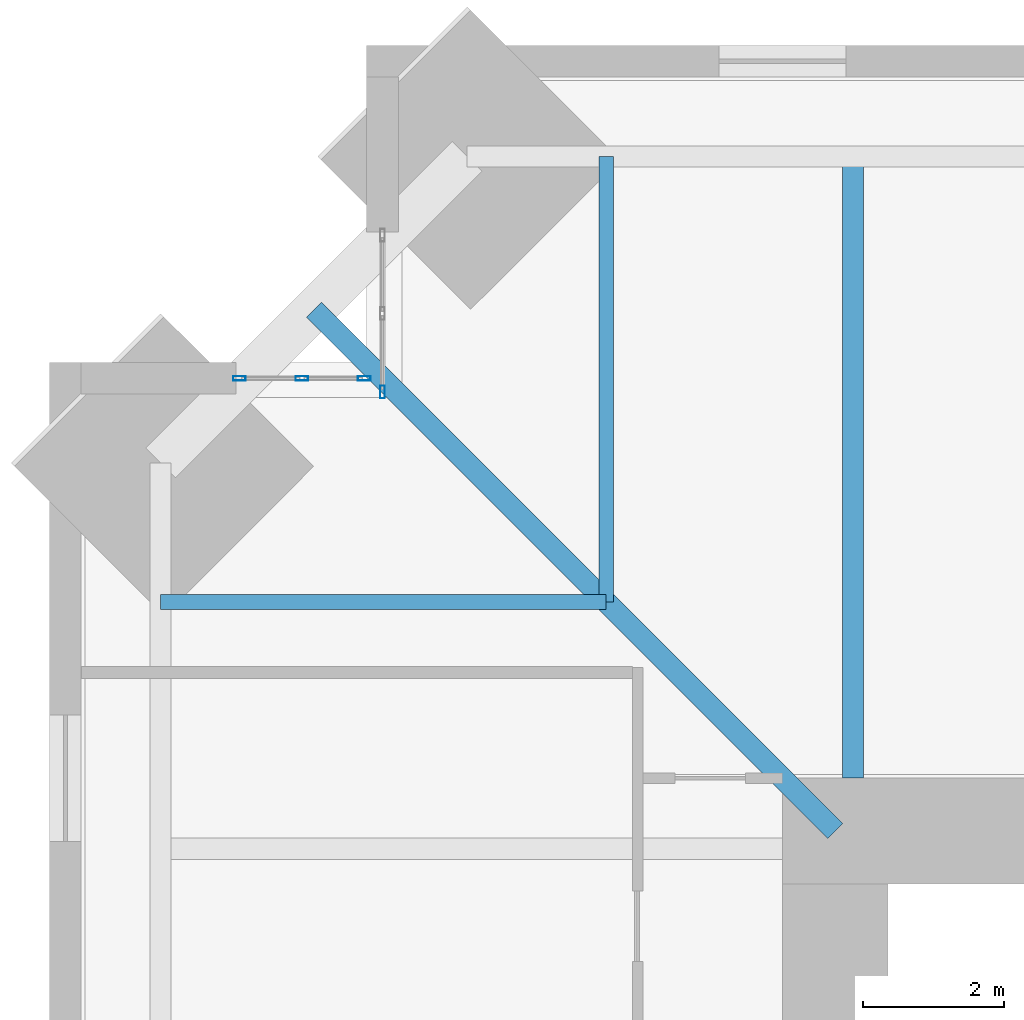
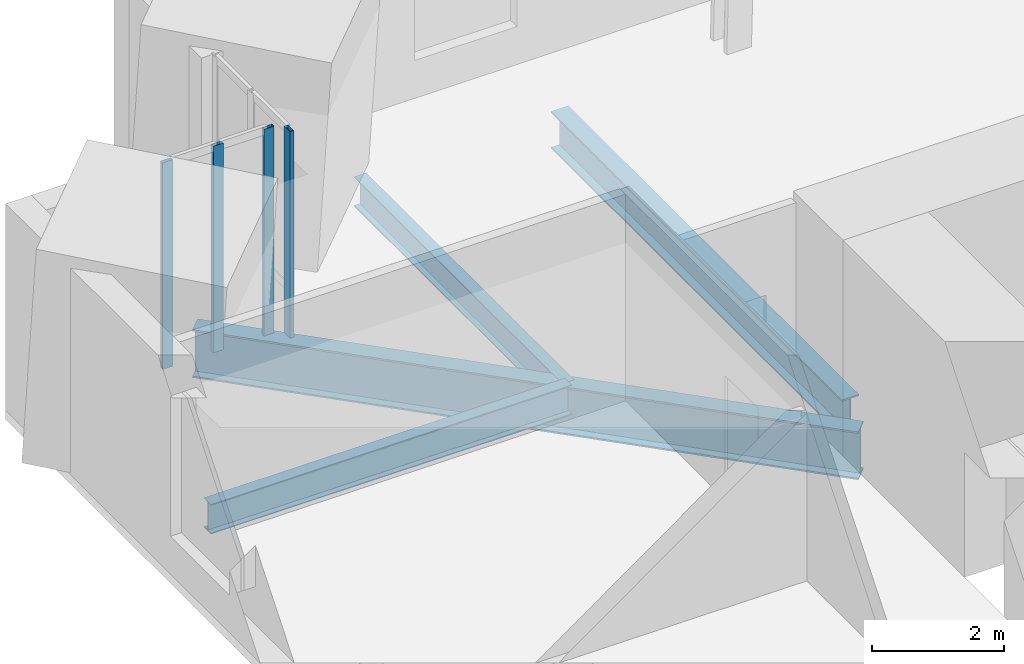
# One storey, part 6 of 18: 4 beams, 4 members, 2 elements without a shape of their own.
"""IFC4 building model written with IfcOpenShell, lengths in metres."""

from ifc_helpers import new_model, si_unit, direction, frame, origin, origin_2d, place, context, subcontext, project, spatial, hollow_rectangle, i_section, extrude, material, material_profile, profile_set, type_object, element, aggregate, save


model = new_model("IFC4")

# Units and contexts
model_context = context("Model", 3, precision=1e-05, world=origin(), true_north=direction((0.0, 1.0)))
body_context = subcontext(model_context, "Body", "Model", "MODEL_VIEW")
ifc_project = project(units=[si_unit("LENGTHUNIT", "METRE"), si_unit("AREAUNIT", "SQUARE_METRE"), si_unit("VOLUMEUNIT", "CUBIC_METRE"), si_unit("PLANEANGLEUNIT", "RADIAN"), si_unit("MASSUNIT", "GRAM", prefix="KILO")], contexts=[model_context])

# Site, building, storey
site_placement = place(None, origin())
site = spatial("IfcSite", under=ifc_project, at=site_placement, CompositionType="ELEMENT")
building_placement = place(site_placement, origin())
building = spatial("IfcBuilding", under=site, at=building_placement, Name="Peilmerk Tower", CompositionType="ELEMENT")
storey_placement = place(building_placement, frame((0.0, 0.0, 249.800048828125)))
storey = spatial("IfcBuildingStorey", under=building, at=storey_placement, Name="L55", CompositionType="ELEMENT", Elevation=249.800048828125)

# Beams
ifc_material_1 = material(Name="Steel S355", Category="steel")
ifc_material_profile_1 = material_profile(ifc_material_1, i_section(OverallWidth=0.2099609375, OverallDepth=0.550048828125, WebThickness=0.010986328125, FlangeThickness=0.01708984375, at=origin_2d()), Name="IPE 550")
ifc_profile_set_1 = profile_set([ifc_material_profile_1], Name="Steel S355")
beam_type_1 = type_object("IfcBeamType", Name="B12 IPE 550 floor beam", PredefinedType="BEAM", material=ifc_profile_set_1)
for number, where, z_axis, x_axis, name in (
    (1, (-14.5, 14.5, -0.445068359375), (0.0, 1.0, 0.0), (-1.0, 0.0, 0.0), "Floor beam L55"),
    (2, (-14.5, 14.5, -0.445068359375), (-1.0, 0.0, 0.0), (0.0, -1.0, 0.0), "Floor beam L55"),
):
    element("IfcBeam", number, at=place(storey_placement, frame(where, z_axis=z_axis, x_axis=x_axis)), inside=storey, type_object=beam_type_1, Name=name, PredefinedType="BEAM", context=body_context, shape_type="SweptSolid", body=[
        extrude(i_section(OverallWidth=0.2099609375, OverallDepth=0.550048828125, WebThickness=0.010986328125, FlangeThickness=0.01708984375, at=origin_2d()), origin(), (0.0, 0.0, 1.0), 6.32421875),
    ])
ifc_material_profile_2 = material_profile(ifc_material_1, i_section(OverallWidth=0.300048828125, OverallDepth=0.68994140625, WebThickness=0.014404296875, FlangeThickness=0.027099609375, at=origin_2d()), Name="HEA 700")
ifc_profile_set_2 = profile_set([ifc_material_profile_2], Name="Steel S355")
beam_type_2 = type_object("IfcBeamType", Name="B16 HEA 700 floor beam", PredefinedType="BEAM", material=ifc_profile_set_2)
beam_1_placement = place(storey_placement, frame((-11.0, 12.0, -0.51513671875), z_axis=(0.0, 1.0, 0.0), x_axis=(-1.0, 0.0, 0.0)))
element("IfcBeam", 3, at=beam_1_placement, inside=storey, type_object=beam_type_2, Name="Floor beam L55", PredefinedType="BEAM", context=body_context, shape_type="SweptSolid", body=[
    extrude(i_section(OverallWidth=0.300048828125, OverallDepth=0.68994140625, WebThickness=0.014404296875, FlangeThickness=0.027099609375, at=origin_2d()), origin(), (0.0, 0.0, 1.0), 8.82421875),
])
ifc_material_profile_3 = material_profile(ifc_material_1, i_section(OverallWidth=0.300048828125, OverallDepth=0.889892578125, WebThickness=0.01611328125, FlangeThickness=0.030029296875, at=origin_2d()), Name="HEA 900")
ifc_profile_set_3 = profile_set([ifc_material_profile_3], Name="Steel S355")
beam_type_3 = type_object("IfcBeamType", Name="B4 HEA 900 floor beam", PredefinedType="BEAM", material=ifc_profile_set_3)
beam_2_placement = place(storey_placement, frame((-11.25, 11.25, -0.614990234375), z_axis=(-0.707106781187, 0.707106781187, 0.0), x_axis=(-0.707106781187, -0.707106781187, 0.0)))
element("IfcBeam", 4, at=beam_2_placement, inside=storey, type_object=beam_type_3, Name="Corner girder L55", PredefinedType="BEAM", context=body_context, shape_type="SweptSolid", body=[
    extrude(i_section(OverallWidth=0.300048828125, OverallDepth=0.889892578125, WebThickness=0.01611328125, FlangeThickness=0.030029296875, at=origin_2d()), origin(), (0.0, 0.0, 1.0), 10.464111328125),
])

# Curtain wall, member
ifc_material_2 = material(Name="Aluminium stick curtain wall", Category="aluminium")
curtain_wall_type = type_object("IfcCurtainWallType", Name="CW4 stick curtain wall, 2250 module", PredefinedType="NOTDEFINED", material=ifc_material_2)
curtain_wall_1_placement = place(storey_placement, origin())
curtain_wall_1 = element("IfcCurtainWall", 5, at=curtain_wall_1_placement, inside=storey, type_object=curtain_wall_type, Name="Curtain wall CW4 NWA L55", PredefinedType="NOTDEFINED")
ifc_material_3 = material(Name="Aluminium EN AW-6063 T6", Category="aluminium")
ifc_material_profile_4 = material_profile(ifc_material_3, hollow_rectangle(XDim=0.06494140625, YDim=0.179931640625, WallThickness=0.0029296875, at=origin_2d()), Name="AL 180x65x3")
ifc_profile_set_4 = profile_set([ifc_material_profile_4], Name="Aluminium EN AW-6063 T6")
member_type = type_object("IfcMemberType", Name="CW4-M AL 180x65x3 mullion", PredefinedType="MULLION", material=ifc_profile_set_4)
member_1_placement = place(storey_placement, frame((-17.675048828125, 17.482421875, 0.0), z_axis=(0.0, 0.0, 1.0), x_axis=(-1.0, 0.0, 0.0)))
member_1 = element("IfcMember", 6, at=member_1_placement, type_object=member_type, Name="CW4 mullion 1", PredefinedType="MULLION", context=body_context, shape_type="SweptSolid", body=[
    extrude(hollow_rectangle(XDim=0.06494140625, YDim=0.179931640625, WallThickness=0.0029296875, at=origin_2d()), origin(), (0.0, 0.0, 1.0), 3.829833984375),
])
aggregate(curtain_wall_1, [member_1])

# Curtain wall, members
curtain_wall_2_placement = place(storey_placement, origin())
curtain_wall_2 = element("IfcCurtainWall", 7, at=curtain_wall_2_placement, inside=storey, type_object=curtain_wall_type, Name="Curtain wall CW4 NWB L55", PredefinedType="NOTDEFINED")
member_2_placement = place(storey_placement, frame((-17.9326171875, 17.675048828125, 0.0), z_axis=(0.0, 0.0, 1.0), x_axis=(0.0, -1.0, 0.0)))
member_2 = element("IfcMember", 8, at=member_2_placement, type_object=member_type, Name="CW4 mullion 1", PredefinedType="MULLION", context=body_context, shape_type="SweptSolid", body=[
    extrude(hollow_rectangle(XDim=0.06494140625, YDim=0.179931640625, WallThickness=0.0029296875, at=origin_2d()), origin(), (0.0, 0.0, 1.0), 3.829833984375),
])
member_3_placement = place(storey_placement, frame((-18.8193359375, 17.675048828125, 0.0), z_axis=(0.0, 0.0, 1.0), x_axis=(0.0, -1.0, 0.0)))
member_3 = element("IfcMember", 9, at=member_3_placement, type_object=member_type, Name="CW4 mullion 2", PredefinedType="MULLION", context=body_context, shape_type="SweptSolid", body=[
    extrude(hollow_rectangle(XDim=0.06494140625, YDim=0.179931640625, WallThickness=0.0029296875, at=origin_2d()), origin(), (0.0, 0.0, 1.0), 3.829833984375),
])
member_4_placement = place(storey_placement, frame((-19.706298828125, 17.675048828125, 0.0), z_axis=(0.0, 0.0, 1.0), x_axis=(0.0, -1.0, 0.0)))
member_4 = element("IfcMember", 10, at=member_4_placement, type_object=member_type, Name="CW4 mullion 3", PredefinedType="MULLION", context=body_context, shape_type="SweptSolid", body=[
    extrude(hollow_rectangle(XDim=0.06494140625, YDim=0.179931640625, WallThickness=0.0029296875, at=origin_2d()), origin(), (0.0, 0.0, 1.0), 3.829833984375),
])
aggregate(curtain_wall_2, [member_2, member_3, member_4])

save(model, "model.ifc")
